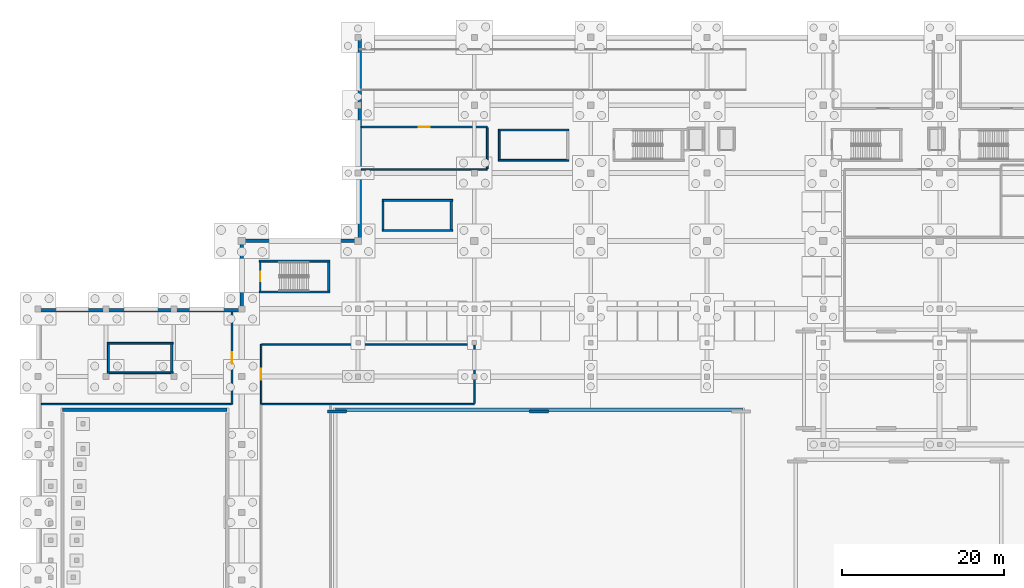
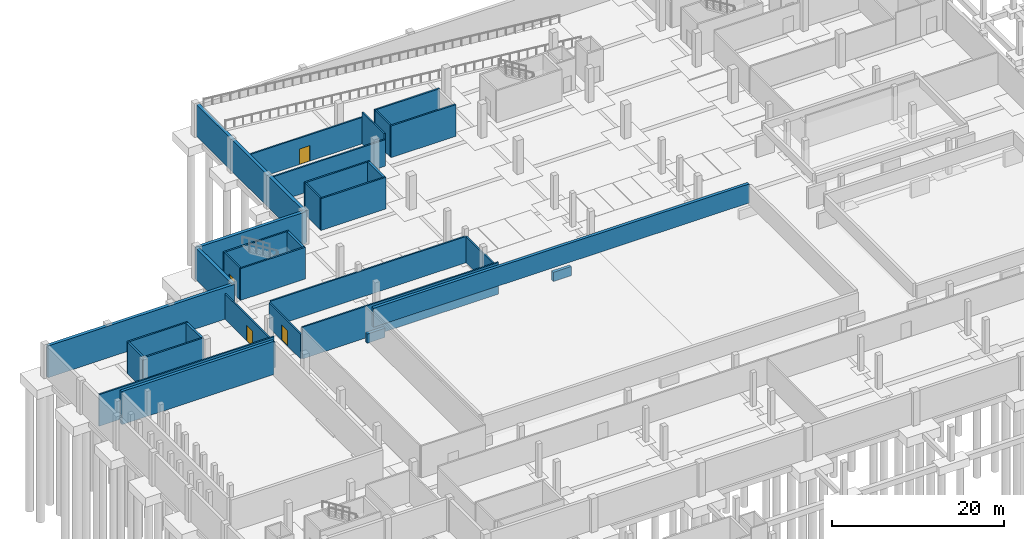
# One storey, part 15 of 26: 32 walls, 4 doors, 4 openings.
"""IFC4 building model written with IfcOpenShell, lengths in metres."""

from ifc_helpers import new_model, si_unit, direction, frame, frame_2d, origin, place, context, subcontext, project, spatial, rectangle, extrude, material, layer, layer_set, type_object, element, fill, save


model = new_model("IFC4")

# Units and contexts
model_context = context("Model", 3, precision=1e-05, world=origin(), true_north=direction((0.0, 1.0)))
body_context = subcontext(model_context, "Body", "Model", "MODEL_VIEW")
ifc_project = project(units=[si_unit("LENGTHUNIT", "METRE"), si_unit("AREAUNIT", "SQUARE_METRE"), si_unit("VOLUMEUNIT", "CUBIC_METRE"), si_unit("PLANEANGLEUNIT", "RADIAN"), si_unit("MASSUNIT", "GRAM", prefix="KILO"), si_unit("THERMODYNAMICTEMPERATUREUNIT", "KELVIN")], contexts=[model_context])

# Site, building, storey
site_placement = place(None, origin())
site = spatial("IfcSite", under=ifc_project, at=site_placement, CompositionType="ELEMENT")
building_placement = place(site_placement, origin())
building = spatial("IfcBuilding", under=site, at=building_placement, Name="Nduvali Passage Aquatics Centre", CompositionType="ELEMENT")
storey_placement = place(building_placement, frame((0.0, 0.0, -4.800048828125)))
storey = spatial("IfcBuildingStorey", under=building, at=storey_placement, Name="B01", CompositionType="ELEMENT", Elevation=-4.800048828125)

# Wall, opening, door
ifc_material_1 = material(Name="Coral-stone masonry blockwork", Category="masonry")
ifc_layer_1 = layer(ifc_material_1, 0.199951171875, Name="Coral-stone masonry blockwork")
ifc_layer_set_1 = layer_set([ifc_layer_1], Name="Coral-stone masonry blockwork")
wall_type_1 = type_object("IfcWallType", Name="INT-WAL-COMP200", PredefinedType="PARTITIONING", material=ifc_layer_set_1)
wall_1_placement = place(storey_placement, frame((40.010009765625, 106.5, 0.0), z_axis=(0.0, 0.0, 1.0), x_axis=(1.0, 0.0, 0.0)))
wall_1 = element("IfcWall", 1, at=wall_1_placement, inside=storey, type_object=wall_type_1, Name="B01 Calorifier and Pool Heating Plant Room Partition 0006", PredefinedType="PARTITIONING", context=body_context, shape_type="SweptSolid", body=[
    extrude(rectangle(XDim=15.590087890625, YDim=0.199951171875, at=frame_2d((7.794921875, 0.0))), origin(), (0.0, 0.0, 1.0), 3.75),
])
opening_1_placement = place(wall_1_placement, frame((7.094970703125, 0.0, 0.0)))
opening_1 = element("IfcOpeningElement", 2, at=opening_1_placement, cuts=wall_1, Name="Opening FD-P1", PredefinedType="OPENING", context=body_context, shape_type="SweptSolid", body=[
    extrude(rectangle(XDim=1.39990234375, YDim=2.199951171875, at=frame_2d((0.699951171875, 1.10009765625))), frame((0.0, 0.11474609375, 0.0), z_axis=(0.0, -1.0, 0.0), x_axis=(1.0, 0.0, 0.0)), (0.0, 0.0, 1.0), 0.229736328125),
])
ifc_material_2 = material(Name="Galvanised steel door", Category="steel")
door_type_1 = type_object("IfcDoorType", Name="INT-DR-PLNT140", OperationType="DOUBLE_DOOR_SINGLE_SWING", PredefinedType="DOOR", material=ifc_material_2)
door_1_placement = place(opening_1_placement, frame((1.39990234375, 0.0, 0.0), z_axis=(0.0, 0.0, 1.0), x_axis=(-1.0, 0.0, 0.0)))
door_1 = element("IfcDoor", 3, at=door_1_placement, inside=storey, type_object=door_type_1, Name="B01 Calorifier and Pool Heating Plant Room Door 0003", OperationType="DOUBLE_DOOR_SINGLE_SWING", OverallHeight=2.199951171875, OverallWidth=1.39990234375, PredefinedType="DOOR", context=body_context, shape_type="SweptSolid", body=[
    extrude(rectangle(XDim=1.39990234375, YDim=2.199951171875, at=frame_2d((0.699951171875, 1.10009765625))), frame((0.0, 0.02490234375, 0.0), z_axis=(0.0, -1.0, 0.0), x_axis=(1.0, 0.0, 0.0)), (0.0, 0.0, 1.0), 0.050048828125),
])
fill(opening_1, door_1)

# Walls
wall_2_placement = place(storey_placement, frame((40.010009765625, 101.25, 0.0), z_axis=(0.0, 0.0, 1.0), x_axis=(1.0, 0.0, 0.0)))
element("IfcWall", 4, at=wall_2_placement, inside=storey, type_object=wall_type_1, Name="B01 Calorifier and Pool Heating Plant Room Partition 0007", PredefinedType="PARTITIONING", context=body_context, shape_type="SweptSolid", body=[
    extrude(rectangle(XDim=15.590087890625, YDim=0.199951171875, at=frame_2d((7.794921875, 0.0))), origin(), (0.0, 0.0, 1.0), 3.75),
])
wall_3_placement = place(storey_placement, frame((55.60009765625, 101.35009765625, 0.0), z_axis=(0.0, 0.0, 1.0), x_axis=(0.0, 1.0, 0.0)))
element("IfcWall", 5, at=wall_3_placement, inside=storey, type_object=wall_type_1, Name="B01 Calorifier and Pool Heating Plant Room Partition 0008", PredefinedType="PARTITIONING", context=body_context, shape_type="SweptSolid", body=[
    extrude(rectangle(XDim=5.0498046875, YDim=0.199951171875, at=frame_2d((2.52490234375, 0.0))), origin(), (0.0, 0.0, 1.0), 4.5),
])

# Wall, opening, door
wall_4_placement = place(storey_placement, frame((27.60009765625, 72.199951171875, 0.0), z_axis=(0.0, 0.0, 1.0), x_axis=(0.0, 1.0, 0.0)))
wall_4 = element("IfcWall", 6, at=wall_4_placement, inside=storey, type_object=wall_type_1, Name="B01 Competition and Diving Balance Tank Hall Partition 0024", PredefinedType="PARTITIONING", context=body_context, shape_type="SweptSolid", body=[
    extrude(rectangle(XDim=7.400146484375, YDim=0.199951171875, at=frame_2d((3.7001953125, 0.0))), origin(), (0.0, 0.0, 1.0), 3.530029296875),
])
opening_2_placement = place(wall_4_placement, frame((3.0, 0.0, 0.0)))
opening_2 = element("IfcOpeningElement", 7, at=opening_2_placement, cuts=wall_4, Name="Opening FD-P1", PredefinedType="OPENING", context=body_context, shape_type="SweptSolid", body=[
    extrude(rectangle(XDim=1.39990234375, YDim=2.199951171875, at=frame_2d((0.699951171875, 1.10009765625))), frame((0.0, 0.11474609375, 0.0), z_axis=(0.0, -1.0, 0.0), x_axis=(1.0, 0.0, 0.0)), (0.0, 0.0, 1.0), 0.229736328125),
])
door_2_placement = place(opening_2_placement, frame((1.39990234375, 0.0, 0.0), z_axis=(0.0, 0.0, 1.0), x_axis=(-1.0, 0.0, 0.0)))
door_2 = element("IfcDoor", 8, at=door_2_placement, inside=storey, type_object=door_type_1, Name="B01 Competition and Diving Balance Tank Hall Door 0009", OperationType="DOUBLE_DOOR_SINGLE_SWING", OverallHeight=2.199951171875, OverallWidth=1.39990234375, PredefinedType="DOOR", context=body_context, shape_type="SweptSolid", body=[
    extrude(rectangle(XDim=1.39990234375, YDim=2.199951171875, at=frame_2d((0.699951171875, 1.10009765625))), frame((0.0, 0.02490234375, 0.0), z_axis=(0.0, -1.0, 0.0), x_axis=(1.0, 0.0, 0.0)), (0.0, 0.0, 1.0), 0.050048828125),
])
fill(opening_2, door_2)

# Walls
wall_5_placement = place(storey_placement, frame((27.699951171875, 72.199951171875, 0.0), z_axis=(0.0, 0.0, 1.0), x_axis=(1.0, 0.0, 0.0)))
element("IfcWall", 9, at=wall_5_placement, inside=storey, type_object=wall_type_1, Name="B01 Competition and Diving Balance Tank Hall Partition 0025", PredefinedType="PARTITIONING", context=body_context, shape_type="SweptSolid", body=[
    extrude(rectangle(XDim=26.300048828125, YDim=0.199951171875, at=frame_2d((13.14990234375, 0.0))), origin(), (0.0, 0.0, 1.0), 4.5),
])
wall_6_placement = place(storey_placement, frame((27.699951171875, 79.60009765625, 0.0), z_axis=(0.0, 0.0, 1.0), x_axis=(1.0, 0.0, 0.0)))
element("IfcWall", 10, at=wall_6_placement, inside=storey, type_object=wall_type_1, Name="B01 Competition and Diving Balance Tank Hall Partition 0026", PredefinedType="PARTITIONING", context=body_context, shape_type="SweptSolid", body=[
    extrude(rectangle(XDim=26.300048828125, YDim=0.199951171875, at=frame_2d((13.14990234375, 0.0))), origin(), (0.0, 0.0, 1.0), 3.72998046875),
])
wall_7_placement = place(storey_placement, frame((54.0, 72.300048828125, 0.0), z_axis=(0.0, 0.0, 1.0), x_axis=(0.0, 1.0, 0.0)))
element("IfcWall", 11, at=wall_7_placement, inside=storey, type_object=wall_type_1, Name="B01 Competition and Diving Balance Tank Hall Partition 0027", PredefinedType="PARTITIONING", context=body_context, shape_type="SweptSolid", body=[
    extrude(rectangle(XDim=7.199951171875, YDim=0.199951171875, at=frame_2d((3.60009765625, 0.0))), origin(), (0.0, 0.0, 1.0), 3.72998046875),
])

# Wall, opening, door
wall_8_placement = place(storey_placement, frame((24.0, 72.199951171875, 0.0), z_axis=(0.0, 0.0, 1.0), x_axis=(0.0, 1.0, 0.0)))
wall_8 = element("IfcWall", 12, at=wall_8_placement, inside=storey, type_object=wall_type_1, Name="B01 Diving Sub-Basin Inspection and Filter Store Partition 0037", PredefinedType="PARTITIONING", context=body_context, shape_type="SweptSolid", body=[
    extrude(rectangle(XDim=11.39013671875, YDim=0.199951171875, at=frame_2d((5.695068359375, 0.0))), origin(), (0.0, 0.0, 1.0), 3.610107421875),
])
opening_3_placement = place(wall_8_placement, frame((4.9951171875, 0.0, 0.0)))
opening_3 = element("IfcOpeningElement", 13, at=opening_3_placement, cuts=wall_8, Name="Opening FD-P1", PredefinedType="OPENING", context=body_context, shape_type="SweptSolid", body=[
    extrude(rectangle(XDim=1.39990234375, YDim=2.199951171875, at=frame_2d((0.699951171875, 1.10009765625))), frame((0.0, 0.11474609375, 0.0), z_axis=(0.0, -1.0, 0.0), x_axis=(1.0, 0.0, 0.0)), (0.0, 0.0, 1.0), 0.229736328125),
])
door_3_placement = place(opening_3_placement, frame((1.39990234375, 0.0, 0.0), z_axis=(0.0, 0.0, 1.0), x_axis=(-1.0, 0.0, 0.0)))
door_3 = element("IfcDoor", 14, at=door_3_placement, inside=storey, type_object=door_type_1, Name="B01 Diving Sub-Basin Inspection and Filter Store Door 0013", OperationType="DOUBLE_DOOR_SINGLE_SWING", OverallHeight=2.199951171875, OverallWidth=1.39990234375, PredefinedType="DOOR", context=body_context, shape_type="SweptSolid", body=[
    extrude(rectangle(XDim=1.39990234375, YDim=2.199951171875, at=frame_2d((0.699951171875, 1.10009765625))), frame((0.0, 0.02490234375, 0.0), z_axis=(0.0, -1.0, 0.0), x_axis=(1.0, 0.0, 0.0)), (0.0, 0.0, 1.0), 0.050048828125),
])
fill(opening_3, door_3)

# Walls
wall_9_placement = place(storey_placement, frame((0.409912109375, 72.199951171875, 0.0), z_axis=(0.0, 0.0, 1.0), x_axis=(1.0, 0.0, 0.0)))
element("IfcWall", 15, at=wall_9_placement, inside=storey, type_object=wall_type_1, Name="B01 Diving Sub-Basin Inspection and Filter Store Partition 0038", PredefinedType="PARTITIONING", context=body_context, shape_type="SweptSolid", body=[
    extrude(rectangle(XDim=23.489990234375, YDim=0.199951171875, at=frame_2d((11.7451171875, 0.0))), origin(), (0.0, 0.0, 1.0), 4.5),
])
ifc_material_3 = material(Name="Concrete C40/50", Category="concrete")
ifc_layer_2 = layer(ifc_material_3, 0.219970703125, Name="Concrete C40/50")
ifc_layer_set_2 = layer_set([ifc_layer_2], Name="Concrete C40/50")
wall_type_2 = type_object("IfcWallType", Name="INT-WAL-CORE220", PredefinedType="SOLIDWALL", material=ifc_layer_set_2)
for number, where, z_axis, x_axis, name in (
    (16, (56.97998046875, 102.389892578125, 0.0), (0.0, 0.0, 1.0), (1.0, 0.0, 0.0), "B01 Stair ST3 Core Wall S"),
    (17, (65.699951171875, 106.1201171875, 0.0), (0.0, 0.0, 1.0), (-1.0, 0.0, 0.0), "B01 Stair ST3 Core Wall N"),
):
    element("IfcWall", number, at=place(storey_placement, frame(where, z_axis=z_axis, x_axis=x_axis)), inside=storey, type_object=wall_type_2, Name=name, PredefinedType="SOLIDWALL", context=body_context, shape_type="SweptSolid", body=[
        extrude(rectangle(XDim=8.719970703125, YDim=0.219970703125, at=frame_2d((4.35986328125, 0.0))), origin(), (0.0, 0.0, 1.0), 4.5),
    ])
wall_10_placement = place(storey_placement, frame((57.090087890625, 106.010009765625, 0.0), z_axis=(0.0, 0.0, 1.0), x_axis=(0.0, -1.0, 0.0)))
element("IfcWall", 18, at=wall_10_placement, inside=storey, type_object=wall_type_2, Name="B01 Stair ST3 Core Wall W", PredefinedType="SOLIDWALL", context=body_context, shape_type="SweptSolid", body=[
    extrude(rectangle(XDim=3.510009765625, YDim=0.219970703125, at=frame_2d((1.7548828125, 0.0))), origin(), (0.0, 0.0, 1.0), 4.5),
])
for number, where, z_axis, x_axis, name in (
    (19, (42.580078125, 93.68994140625, 0.0), (0.0, 0.0, 1.0), (1.0, 0.0, 0.0), "B01 Stair ST4 Core Wall S"),
    (20, (51.300048828125, 97.419921875, 0.0), (0.0, 0.0, 1.0), (-1.0, 0.0, 0.0), "B01 Stair ST4 Core Wall N"),
):
    element("IfcWall", number, at=place(storey_placement, frame(where, z_axis=z_axis, x_axis=x_axis)), inside=storey, type_object=wall_type_2, Name=name, PredefinedType="SOLIDWALL", context=body_context, shape_type="SweptSolid", body=[
        extrude(rectangle(XDim=8.719970703125, YDim=0.219970703125, at=frame_2d((4.35986328125, 0.0))), origin(), (0.0, 0.0, 1.0), 4.5),
    ])
wall_11_placement = place(storey_placement, frame((42.68994140625, 97.31005859375, 0.0), z_axis=(0.0, 0.0, 1.0), x_axis=(0.0, -1.0, 0.0)))
element("IfcWall", 21, at=wall_11_placement, inside=storey, type_object=wall_type_2, Name="B01 Stair ST4 Core Wall W", PredefinedType="SOLIDWALL", context=body_context, shape_type="SweptSolid", body=[
    extrude(rectangle(XDim=3.510009765625, YDim=0.219970703125, at=frame_2d((1.7548828125, 0.0))), origin(), (0.0, 0.0, 1.0), 4.5),
])
for number, where, z_axis, x_axis, name in (
    (22, (27.3798828125, 86.090087890625, 0.0), (0.0, 0.0, 1.0), (1.0, 0.0, 0.0), "B01 Stair ST10 Core Wall S"),
    (23, (36.10009765625, 89.89990234375, 0.0), (0.0, 0.0, 1.0), (-1.0, 0.0, 0.0), "B01 Stair ST10 Core Wall N"),
):
    element("IfcWall", number, at=place(storey_placement, frame(where, z_axis=z_axis, x_axis=x_axis)), inside=storey, type_object=wall_type_2, Name=name, PredefinedType="SOLIDWALL", context=body_context, shape_type="SweptSolid", body=[
        extrude(rectangle(XDim=8.72021484375, YDim=0.219970703125, at=frame_2d((4.360107421875, 0.0))), origin(), (0.0, 0.0, 1.0), 4.5),
    ])

# Wall, opening, door
wall_12_placement = place(storey_placement, frame((27.489990234375, 89.7900390625, 0.0), z_axis=(0.0, 0.0, 1.0), x_axis=(0.0, -1.0, 0.0)))
wall_12 = element("IfcWall", 24, at=wall_12_placement, inside=storey, type_object=wall_type_2, Name="B01 Stair ST10 Core Wall W", PredefinedType="SOLIDWALL", context=body_context, shape_type="SweptSolid", body=[
    extrude(rectangle(XDim=3.590087890625, YDim=0.219970703125, at=frame_2d((1.794921875, 0.0))), origin(), (0.0, 0.0, 1.0), 4.5),
])
opening_4_placement = place(wall_12_placement, frame((1.195068359375, 0.0, 0.0)))
opening_4 = element("IfcOpeningElement", 25, at=opening_4_placement, cuts=wall_12, Name="Opening FD-ST2", PredefinedType="OPENING", context=body_context, shape_type="SweptSolid", body=[
    extrude(rectangle(XDim=1.199951171875, YDim=2.199951171875, at=frame_2d((0.60009765625, 1.10009765625))), frame((0.0, 0.125, 0.0), z_axis=(0.0, -1.0, 0.0), x_axis=(1.0, 0.0, 0.0)), (0.0, 0.0, 1.0), 0.249755859375),
])
door_type_2 = type_object("IfcDoorType", Name="INT-DR-ST120", OperationType="NOTDEFINED", PredefinedType="DOOR", material=ifc_material_2)
door_4_placement = place(opening_4_placement, frame((1.199951171875, 0.0, 0.0), z_axis=(0.0, 0.0, 1.0), x_axis=(-1.0, 0.0, 0.0)))
door_4 = element("IfcDoor", 26, at=door_4_placement, inside=storey, type_object=door_type_2, Name="B01 Stair ST10 Fire Lobby Door", OperationType="SINGLE_SWING_RIGHT", OverallHeight=2.199951171875, OverallWidth=1.199951171875, PredefinedType="DOOR", context=body_context, shape_type="SweptSolid", body=[
    extrude(rectangle(XDim=1.199951171875, YDim=2.199951171875, at=frame_2d((0.60009765625, 1.10009765625))), frame((0.0, 0.02490234375, 0.0), z_axis=(0.0, -1.0, 0.0), x_axis=(1.0, 0.0, 0.0)), (0.0, 0.0, 1.0), 0.050048828125),
])
fill(opening_4, door_4)

# Walls
for number, where, z_axis, x_axis, name in (
    (27, (8.580078125, 76.090087890625, 0.0), (0.0, 0.0, 1.0), (1.0, 0.0, 0.0), "B01 Stair ST12 Core Wall S"),
    (28, (16.699951171875, 79.739990234375, 0.0), (0.0, 0.0, 1.0), (-1.0, 0.0, 0.0), "B01 Stair ST12 Core Wall N"),
):
    element("IfcWall", number, at=place(storey_placement, frame(where, z_axis=z_axis, x_axis=x_axis)), inside=storey, type_object=wall_type_2, Name=name, PredefinedType="SOLIDWALL", context=body_context, shape_type="SweptSolid", body=[
        extrude(rectangle(XDim=8.119873046875, YDim=0.219970703125, at=frame_2d((4.06005859375, 0.0))), origin(), (0.0, 0.0, 1.0), 4.5),
    ])
wall_13_placement = place(storey_placement, frame((8.68994140625, 79.6298828125, 0.0), z_axis=(0.0, 0.0, 1.0), x_axis=(0.0, -1.0, 0.0)))
element("IfcWall", 29, at=wall_13_placement, inside=storey, type_object=wall_type_2, Name="B01 Stair ST12 Core Wall W", PredefinedType="SOLIDWALL", context=body_context, shape_type="SweptSolid", body=[
    extrude(rectangle(XDim=3.429931640625, YDim=0.219970703125, at=frame_2d((1.71484375, 0.0))), origin(), (0.0, 0.0, 1.0), 4.5),
])
ifc_material_4 = material(Name="Waterproof concrete C40/50", Category="concrete")
ifc_layer_3 = layer(ifc_material_4, 0.419921875, Name="Waterproof concrete C40/50")
ifc_layer_set_3 = layer_set([ifc_layer_3], Name="Waterproof concrete C40/50")
wall_type_3 = type_object("IfcWallType", Name="STR-WAL-RET400", PredefinedType="USERDEFINED", material=ifc_layer_set_3)
wall_14_placement = place(storey_placement, frame((39.800048828125, 117.39990234375, 0.0), z_axis=(0.0, 0.0, 1.0), x_axis=(0.0, -1.0, 0.0)))
element("IfcWall", 30, at=wall_14_placement, inside=storey, type_object=wall_type_3, Name="B01 Waterproof Basement Retaining Wall RET-W2", ObjectType="RETAINING WALL", PredefinedType="USERDEFINED", context=body_context, shape_type="SweptSolid", body=[
    extrude(rectangle(XDim=25.0, YDim=0.419921875, at=frame_2d((12.5, 0.0))), origin(), (0.0, 0.0, 1.0), 4.5),
])
wall_15_placement = place(storey_placement, frame((39.800048828125, 92.39990234375, 0.0), z_axis=(0.0, 0.0, 1.0), x_axis=(-1.0, 0.0, 0.0)))
element("IfcWall", 31, at=wall_15_placement, inside=storey, type_object=wall_type_3, Name="B01 Waterproof Basement Retaining Wall RET-N2", ObjectType="RETAINING WALL", PredefinedType="USERDEFINED", context=body_context, shape_type="SweptSolid", body=[
    extrude(rectangle(XDim=14.60009765625, YDim=0.419921875, at=frame_2d((7.300048828125, 0.0))), origin(), (0.0, 0.0, 1.0), 4.5),
])
wall_16_placement = place(storey_placement, frame((25.199951171875, 92.39990234375, 0.0), z_axis=(0.0, 0.0, 1.0), x_axis=(0.0, -1.0, 0.0)))
element("IfcWall", 32, at=wall_16_placement, inside=storey, type_object=wall_type_3, Name="B01 Waterproof Basement Retaining Wall RET-W3", ObjectType="RETAINING WALL", PredefinedType="USERDEFINED", context=body_context, shape_type="SweptSolid", body=[
    extrude(rectangle(XDim=8.599853515625, YDim=0.419921875, at=frame_2d((4.2998046875, 0.0))), origin(), (0.0, 0.0, 1.0), 4.5),
])
wall_17_placement = place(storey_placement, frame((25.199951171875, 83.800048828125, 0.0), z_axis=(0.0, 0.0, 1.0), x_axis=(-1.0, 0.0, 0.0)))
element("IfcWall", 33, at=wall_17_placement, inside=storey, type_object=wall_type_3, Name="B01 Waterproof Basement Retaining Wall RET-N3", ObjectType="RETAINING WALL", PredefinedType="USERDEFINED", context=body_context, shape_type="SweptSolid", body=[
    extrude(rectangle(XDim=25.0, YDim=0.419921875, at=frame_2d((12.5, 0.0))), origin(), (0.0, 0.0, 1.0), 4.5),
])
ifc_layer_4 = layer(ifc_material_3, 0.300048828125, Name="Concrete C40/50")
ifc_layer_set_4 = layer_set([ifc_layer_4], Name="Concrete C40/50")
wall_type_4 = type_object("IfcWallType", Name="STR-WAL-SHR300", PredefinedType="SHEAR", material=ifc_layer_set_4)
wall_18_placement = place(storey_placement, frame((51.14990234375, 93.800048828125, 0.0), z_axis=(0.0, 0.0, 1.0), x_axis=(0.0, 1.0, 0.0)))
element("IfcWall", 34, at=wall_18_placement, inside=storey, type_object=wall_type_4, Name="B01 Stair ST4 Core Shear Wall E", PredefinedType="SHEAR", context=body_context, shape_type="SweptSolid", body=[
    extrude(rectangle(XDim=3.510009765625, YDim=0.300048828125, at=frame_2d((1.7548828125, 0.0))), origin(), (0.0, 0.0, 1.0), 4.5),
])
wall_19_placement = place(storey_placement, frame((35.949951171875, 86.199951171875, 0.0), z_axis=(0.0, 0.0, 1.0), x_axis=(0.0, 1.0, 0.0)))
element("IfcWall", 35, at=wall_19_placement, inside=storey, type_object=wall_type_4, Name="B01 Stair ST10 Core Shear Wall E", PredefinedType="SHEAR", context=body_context, shape_type="SweptSolid", body=[
    extrude(rectangle(XDim=3.590087890625, YDim=0.300048828125, at=frame_2d((1.794921875, 0.0))), origin(), (0.0, 0.0, 1.0), 4.5),
])
wall_20_placement = place(storey_placement, frame((16.550048828125, 76.199951171875, 0.0), z_axis=(0.0, 0.0, 1.0), x_axis=(0.0, 1.0, 0.0)))
element("IfcWall", 36, at=wall_20_placement, inside=storey, type_object=wall_type_4, Name="B01 Stair ST12 Core Shear Wall E", PredefinedType="SHEAR", context=body_context, shape_type="SweptSolid", body=[
    extrude(rectangle(XDim=3.429931640625, YDim=0.300048828125, at=frame_2d((1.71484375, 0.0))), origin(), (0.0, 0.0, 1.0), 4.5),
])
ifc_layer_5 = layer(ifc_material_4, 0.39990234375, Name="Waterproof concrete C40/50")
ifc_layer_set_5 = layer_set([ifc_layer_5], Name="Waterproof concrete C40/50")
wall_type_5 = type_object("IfcWallType", Name="STR-WAL-TANK400", PredefinedType="STANDARD", material=ifc_layer_set_5)
wall_21_placement = place(storey_placement, frame((87.2099609375, 71.5, 1.800048828125), z_axis=(0.0, 0.0, 1.0), x_axis=(-1.0, 0.0, 0.0)))
element("IfcWall", 37, at=wall_21_placement, inside=storey, type_object=wall_type_5, Name="Competition Pool Waterproof Tank Wall N", PredefinedType="STANDARD", context=body_context, shape_type="SweptSolid", body=[
    extrude(rectangle(XDim=50.419921875, YDim=0.39990234375, at=frame_2d((25.2099609375, 0.0))), origin(), (0.0, 0.0, 1.0), 2.699951171875),
])
for number, where, z_axis, x_axis, name in (
    (38, (35.7900390625, 71.300048828125, 0.0), (0.0, 0.0, 1.0), (1.0, 0.0, 0.0), "Competition Pool Sub-Basin Support Wall"),
    (39, (60.800048828125, 71.300048828125, 0.0), (0.0, 0.0, 1.0), (1.0, 0.0, 0.0), "Competition Pool Sub-Basin Support Wall"),
):
    element("IfcWall", number, at=place(storey_placement, frame(where, z_axis=z_axis, x_axis=x_axis)), inside=storey, type_object=wall_type_5, Name=name, PredefinedType="STANDARD", context=body_context, shape_type="SweptSolid", body=[
        extrude(rectangle(XDim=2.39990234375, YDim=0.39990234375, at=frame_2d((1.199951171875, 0.0))), origin(), (0.0, 0.0, 1.0), 1.300048828125),
    ])
wall_22_placement = place(storey_placement, frame((23.39990234375, 71.5, -0.199951171875), z_axis=(0.0, 0.0, 1.0), x_axis=(-1.0, 0.0, 0.0)))
element("IfcWall", 40, at=wall_22_placement, inside=storey, type_object=wall_type_5, Name="Diving Pool Waterproof Tank Wall N", PredefinedType="STANDARD", context=body_context, shape_type="SweptSolid", body=[
    extrude(rectangle(XDim=20.39990234375, YDim=0.39990234375, at=frame_2d((10.199951171875, 0.0))), origin(), (0.0, 0.0, 1.0), 4.699951171875),
])

save(model, "model.ifc")
